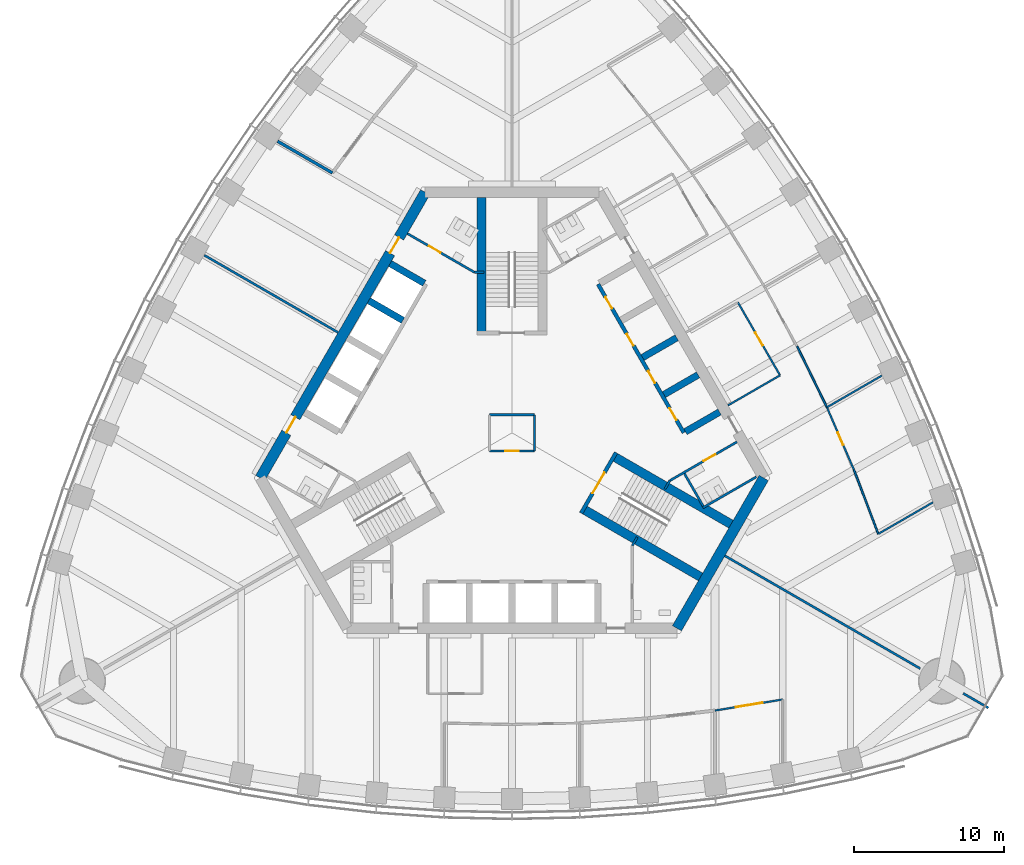
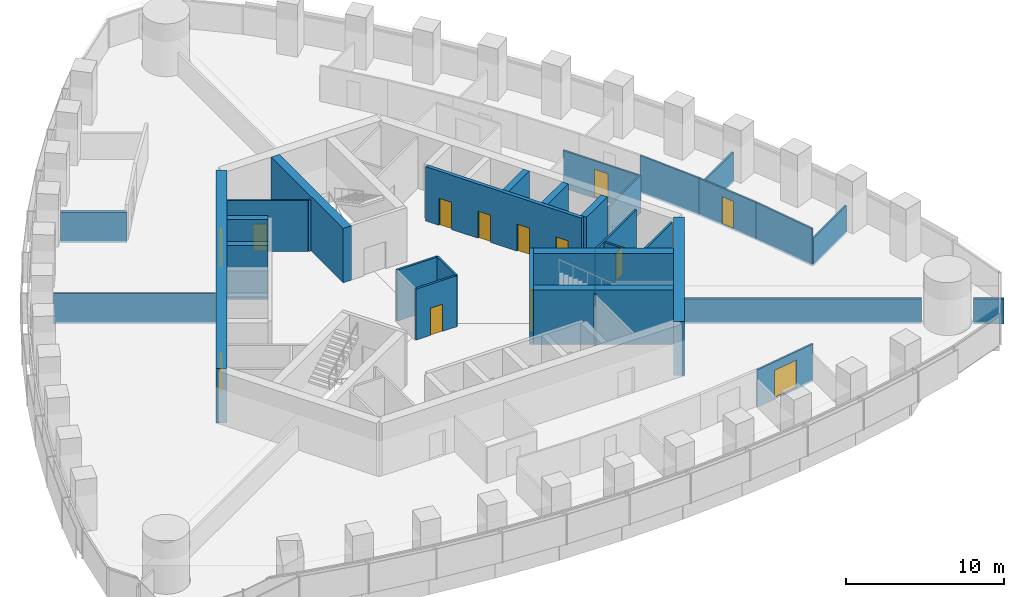
# One storey, part 12 of 19: 34 walls, 13 doors, 13 openings.
"""IFC4 building model written with IfcOpenShell, lengths in metres."""

from ifc_helpers import new_model, si_unit, direction, frame, frame_2d, origin, place, context, subcontext, project, spatial, rectangle, extrude, material, layer, layer_set, type_object, element, fill, save


model = new_model("IFC4")

# Units and contexts
model_context = context("Model", 3, precision=1e-05, world=origin(), true_north=direction((0.0, 1.0)))
body_context = subcontext(model_context, "Body", "Model", "MODEL_VIEW")
ifc_project = project(units=[si_unit("LENGTHUNIT", "METRE"), si_unit("AREAUNIT", "SQUARE_METRE"), si_unit("VOLUMEUNIT", "CUBIC_METRE"), si_unit("PLANEANGLEUNIT", "RADIAN"), si_unit("MASSUNIT", "GRAM", prefix="KILO")], contexts=[model_context])

# Site, building, storey
site_placement = place(None, origin())
site = spatial("IfcSite", under=ifc_project, at=site_placement, CompositionType="ELEMENT")
building_placement = place(site_placement, origin())
building = spatial("IfcBuilding", under=site, at=building_placement, Name="Trefoil Bronze Tower", CompositionType="ELEMENT")
storey_placement = place(building_placement, frame((0.0, 0.0, 261.10009765625)))
storey = spatial("IfcBuildingStorey", under=building, at=storey_placement, Name="L60", CompositionType="ELEMENT", Elevation=261.10009765625)

# Walls
ifc_material_1 = material(Name="Gypsum board on steel studs", Category="steel")
ifc_layer_1 = layer(ifc_material_1, 0.199951171875)
ifc_layer_set_1 = layer_set([ifc_layer_1], Name="Acoustic partition 200")
wall_type_1 = type_object("IfcWallType", Name="Acoustic partition 200", PredefinedType="PARTITIONING", material=ifc_layer_set_1)
wall_1_placement = place(storey_placement, frame((-11.942626953125, 17.287353515625, 0.0), z_axis=(0.0, 0.0, 1.0), x_axis=(-0.866016734951, 0.50001501456, 0.0)))
element("IfcWall", 1, at=wall_1_placement, inside=storey, type_object=wall_type_1, Name="Partition F3 L60", PredefinedType="PARTITIONING", context=body_context, shape_type="SweptSolid", body=[
    extrude(rectangle(XDim=4.213623046875, YDim=0.199951171875, at=frame_2d((2.10693359375, 0.0))), origin(), (0.0, 0.0, 1.0), 2.349853515625),
])
ifc_material_2 = material(Name="Concrete B80", Category="concrete")
ifc_layer_2 = layer(ifc_material_2, 0.699951171875)
ifc_layer_set_2 = layer_set([ifc_layer_2], Name="Core wall 700")
wall_type_2 = type_object("IfcWallType", Name="Core wall 700", PredefinedType="SHEAR", material=ifc_layer_set_2)
wall_2_placement = place(storey_placement, frame((10.9697265625, -13.0, 0.0), z_axis=(0.0, 0.0, 1.0), x_axis=(0.499995765644, 0.866027848477, 0.0)))
element("IfcWall", 2, at=wall_2_placement, inside=storey, type_object=wall_type_2, Name="Core short wall 1 L60", PredefinedType="SHEAR", context=body_context, shape_type="SweptSolid", body=[
    extrude(rectangle(XDim=11.546875, YDim=0.699951171875, at=frame_2d((5.7734375, 0.0))), origin(), (0.0, 0.0, 1.0), 4.199951171875),
])

# Wall, openings, doors
wall_3_placement = place(storey_placement, frame((-5.7734375, 16.0, 0.0), z_axis=(0.0, 0.0, 1.0), x_axis=(-0.500002442456, -0.866023993627, 0.0)))
wall_3 = element("IfcWall", 3, at=wall_3_placement, inside=storey, type_object=wall_type_2, Name="Core long wall 3 L60", PredefinedType="SHEAR", context=body_context, shape_type="SweptSolid", body=[
    extrude(rectangle(XDim=21.939453125, YDim=0.699951171875, at=frame_2d((10.9697265625, 0.0))), origin(), (0.0, 0.0, 1.0), 4.199951171875),
])
opening_1_placement = place(wall_3_placement, frame((17.269775390625, 0.0, 0.0)))
opening_1 = element("IfcOpeningElement", 4, at=opening_1_placement, cuts=wall_3, Name="Opening D2", PredefinedType="OPENING", context=body_context, shape_type="SweptSolid", body=[
    extrude(rectangle(XDim=1.199951171875, YDim=2.10009765625, at=frame_2d((0.60009765625, 1.050048828125))), frame((0.0, 0.35986328125, 0.0), z_axis=(0.0, -1.0, 0.0), x_axis=(1.0, 0.0, 0.0)), (0.0, 0.0, 1.0), 0.719970703125),
])
opening_2_placement = place(wall_3_placement, frame((3.4697265625, 0.0, 0.0)))
opening_2 = element("IfcOpeningElement", 5, at=opening_2_placement, cuts=wall_3, Name="Opening D2", PredefinedType="OPENING", context=body_context, shape_type="SweptSolid", body=[
    extrude(rectangle(XDim=1.199951171875, YDim=2.10009765625, at=frame_2d((0.60009765625, 1.050048828125))), frame((0.0, 0.35986328125, 0.0), z_axis=(0.0, -1.0, 0.0), x_axis=(1.0, 0.0, 0.0)), (0.0, 0.0, 1.0), 0.719970703125),
])
ifc_material_3 = material(Name="Steel door", Category="steel")
door_type_1 = type_object("IfcDoorType", Name="Lobby door 1200", OperationType="SINGLE_SWING_RIGHT", PredefinedType="DOOR", material=ifc_material_3)
door_1_placement = place(opening_1_placement, origin())
door_1 = element("IfcDoor", 6, at=door_1_placement, inside=storey, type_object=door_type_1, Name="Lobby door F3+ L60", OperationType="SINGLE_SWING_RIGHT", OverallHeight=2.10009765625, OverallWidth=1.199951171875, PredefinedType="DOOR", context=body_context, shape_type="SweptSolid", body=[
    extrude(rectangle(XDim=1.199951171875, YDim=2.10009765625, at=frame_2d((0.60009765625, 1.050048828125))), frame((0.0, 0.02490234375, 0.0), z_axis=(0.0, -1.0, 0.0), x_axis=(1.0, 0.0, 0.0)), (0.0, 0.0, 1.0), 0.050048828125),
])
fill(opening_1, door_1)
door_2_placement = place(opening_2_placement, origin())
door_2 = element("IfcDoor", 7, at=door_2_placement, inside=storey, type_object=door_type_1, Name="Lobby door F3- L60", OperationType="SINGLE_SWING_LEFT", OverallHeight=2.10009765625, OverallWidth=1.199951171875, PredefinedType="DOOR", context=body_context, shape_type="SweptSolid", body=[
    extrude(rectangle(XDim=1.199951171875, YDim=2.10009765625, at=frame_2d((0.60009765625, 1.050048828125))), frame((0.0, 0.02490234375, 0.0), z_axis=(0.0, -1.0, 0.0), x_axis=(1.0, 0.0, 0.0)), (0.0, 0.0, 1.0), 0.050048828125),
])
fill(opening_2, door_2)

# Wall, opening, door
ifc_material_4 = material(Name="Glazed partition", Category="glass")
ifc_layer_3 = layer(ifc_material_4, 0.1201171875)
ifc_layer_set_3 = layer_set([ifc_layer_3], Name="Glazed partition 120")
wall_type_3 = type_object("IfcWallType", Name="Glazed partition 120", PredefinedType="PARTITIONING", material=ifc_layer_set_3)
wall_4_placement = place(storey_placement, frame((13.5, -18.466064453125, 0.0), z_axis=(0.0, 0.0, 1.0), x_axis=(0.986986525477, 0.160802980469, 0.0)))
wall_4 = element("IfcWall", 8, at=wall_4_placement, inside=storey, type_object=wall_type_3, Name="Partition F1 L60", PredefinedType="PARTITIONING", context=body_context, shape_type="SweptSolid", body=[
    extrude(rectangle(XDim=4.559326171875, YDim=0.1201171875, at=frame_2d((2.27978515625, 0.0))), origin(), (0.0, 0.0, 1.0), 2.89990234375),
])
opening_3_placement = place(wall_4_placement, frame((1.39990234375, 0.0, 0.14990234375)))
opening_3 = element("IfcOpeningElement", 9, at=opening_3_placement, cuts=wall_4, Name="Opening D10", PredefinedType="OPENING", context=body_context, shape_type="SweptSolid", body=[
    extrude(rectangle(XDim=1.800048828125, YDim=2.10009765625, at=frame_2d((0.89990234375, 1.050048828125))), frame((0.0, 0.070068359375, 0.0), z_axis=(0.0, -1.0, 0.0), x_axis=(1.0, 0.0, 0.0)), (0.0, 0.0, 1.0), 0.14013671875),
])
ifc_material_5 = material(Name="Timber door", Category="wood")
door_type_2 = type_object("IfcDoorType", Name="Double door 1800", OperationType="DOUBLE_DOOR_SINGLE_SWING", PredefinedType="DOOR", material=ifc_material_5)
door_3_placement = place(opening_3_placement, frame((1.800048828125, 0.0, 0.0), z_axis=(0.0, 0.0, 1.0), x_axis=(-1.0, 0.0, 0.0)))
door_3 = element("IfcDoor", 10, at=door_3_placement, inside=storey, type_object=door_type_2, Name="Servery door F1 L60", OperationType="DOUBLE_DOOR_SINGLE_SWING", OverallHeight=2.10009765625, OverallWidth=1.800048828125, PredefinedType="DOOR", context=body_context, shape_type="SweptSolid", body=[
    extrude(rectangle(XDim=1.800048828125, YDim=2.10009765625, at=frame_2d((0.89990234375, 1.050048828125))), frame((0.0, 0.02490234375, 0.0), z_axis=(0.0, -1.0, 0.0), x_axis=(1.0, 0.0, 0.0)), (0.0, 0.0, 1.0), 0.050048828125),
])
fill(opening_3, door_3)

wall_5_placement = place(storey_placement, frame((17.825439453125, 3.8251953125, 0.0), z_axis=(0.0, 0.0, 1.0), x_axis=(-0.499965239061, 0.866045472092, 0.0)))
wall_5 = element("IfcWall", 11, at=wall_5_placement, inside=storey, type_object=wall_type_3, Name="Partition F2 L60", PredefinedType="PARTITIONING", context=body_context, shape_type="SweptSolid", body=[
    extrude(rectangle(XDim=5.60009765625, YDim=0.1201171875, at=frame_2d((2.800048828125, 0.0))), origin(), (0.0, 0.0, 1.0), 2.89990234375),
])
opening_4_placement = place(wall_5_placement, frame((2.300048828125, 0.0, 0.14990234375)))
opening_4 = element("IfcOpeningElement", 12, at=opening_4_placement, cuts=wall_5, Name="Opening D9", PredefinedType="OPENING", context=body_context, shape_type="SweptSolid", body=[
    extrude(rectangle(XDim=1.0, YDim=2.10009765625, at=frame_2d((0.5, 1.050048828125))), frame((0.0, 0.070068359375, 0.0), z_axis=(0.0, -1.0, 0.0), x_axis=(1.0, 0.0, 0.0)), (0.0, 0.0, 1.0), 0.14013671875),
])
ifc_material_6 = material(Name="Glazed timber door", Category="wood")
door_type_3 = type_object("IfcDoorType", Name="Meeting room door 1000", OperationType="SINGLE_SWING_LEFT", PredefinedType="DOOR", material=ifc_material_6)
door_4_placement = place(opening_4_placement, origin())
door_4 = element("IfcDoor", 13, at=door_4_placement, inside=storey, type_object=door_type_3, Name="Meeting room door F2 L60", OperationType="SINGLE_SWING_RIGHT", OverallHeight=2.10009765625, OverallWidth=1.0, PredefinedType="DOOR", context=body_context, shape_type="SweptSolid", body=[
    extrude(rectangle(XDim=1.0, YDim=2.10009765625, at=frame_2d((0.5, 1.050048828125))), frame((0.0, 0.02490234375, 0.0), z_axis=(0.0, -1.0, 0.0), x_axis=(1.0, 0.0, 0.0)), (0.0, 0.0, 1.0), 0.050048828125),
])
fill(opening_4, door_4)

# Wall
wall_6_placement = place(storey_placement, frame((14.361328125, 1.8251953125, 0.0), z_axis=(0.0, 0.0, 1.0), x_axis=(0.866026010844, 0.49999894854, 0.0)))
element("IfcWall", 14, at=wall_6_placement, inside=storey, type_object=wall_type_3, Name="Partition F2 L60", PredefinedType="PARTITIONING", context=body_context, shape_type="SweptSolid", body=[
    extrude(rectangle(XDim=4.0, YDim=0.1201171875, at=frame_2d((2.0, 0.0))), origin(), (0.0, 0.0, 1.0), 2.89990234375),
])

# Wall, opening, door
wall_7_placement = place(storey_placement, frame((22.7421875, -2.458251953125, 0.0), z_axis=(0.0, 0.0, 1.0), x_axis=(-0.397253491631, 0.917708920839, 0.0)))
wall_7 = element("IfcWall", 15, at=wall_7_placement, inside=storey, type_object=wall_type_3, Name="Partition F2 L60", PredefinedType="PARTITIONING", context=body_context, shape_type="SweptSolid", body=[
    extrude(rectangle(XDim=4.530029296875, YDim=0.1201171875, at=frame_2d((2.26513671875, 0.0))), origin(), (0.0, 0.0, 1.0), 2.89990234375),
])
opening_5_placement = place(wall_7_placement, frame((1.800048828125, 0.0, 0.14990234375)))
opening_5 = element("IfcOpeningElement", 16, at=opening_5_placement, cuts=wall_7, Name="Opening D8", PredefinedType="OPENING", context=body_context, shape_type="SweptSolid", body=[
    extrude(rectangle(XDim=0.89990234375, YDim=2.10009765625, at=frame_2d((0.449951171875, 1.050048828125))), frame((0.0, 0.070068359375, 0.0), z_axis=(0.0, -1.0, 0.0), x_axis=(1.0, 0.0, 0.0)), (0.0, 0.0, 1.0), 0.14013671875),
])
ifc_material_7 = material(Name="Timber door", Category="wood")
door_type_4 = type_object("IfcDoorType", Name="Office door 900", OperationType="SINGLE_SWING_LEFT", PredefinedType="DOOR", material=ifc_material_7)
door_5_placement = place(opening_5_placement, frame((0.89990234375, 0.0, 0.0), z_axis=(0.0, 0.0, 1.0), x_axis=(-1.0, 0.0, 0.0)))
door_5 = element("IfcDoor", 17, at=door_5_placement, inside=storey, type_object=door_type_4, Name="Executive office door F2 L60", OperationType="SINGLE_SWING_RIGHT", OverallHeight=2.10009765625, OverallWidth=0.89990234375, PredefinedType="DOOR", context=body_context, shape_type="SweptSolid", body=[
    extrude(rectangle(XDim=0.89990234375, YDim=2.10009765625, at=frame_2d((0.449951171875, 1.050048828125))), frame((0.0, 0.02490234375, 0.0), z_axis=(0.0, -1.0, 0.0), x_axis=(1.0, 0.0, 0.0)), (0.0, 0.0, 1.0), 0.050048828125),
])
fill(opening_5, door_5)

# Walls
wall_8_placement = place(storey_placement, frame((24.357177734375, -6.721923828125, 0.0), z_axis=(0.0, 0.0, 1.0), x_axis=(-0.354219967303, 0.935162132875, 0.0)))
element("IfcWall", 18, at=wall_8_placement, inside=storey, type_object=wall_type_3, Name="Partition F2 L60", PredefinedType="PARTITIONING", context=body_context, shape_type="SweptSolid", body=[
    extrude(rectangle(XDim=4.559326171875, YDim=0.1201171875, at=frame_2d((2.27978515625, 0.0))), origin(), (0.0, 0.0, 1.0), 2.89990234375),
])
wall_9_placement = place(storey_placement, frame((20.942626953125, 1.698974609375, 0.0), z_axis=(0.0, 0.0, 1.0), x_axis=(-0.43911984878, 0.898428493764, 0.0)))
element("IfcWall", 19, at=wall_9_placement, inside=storey, type_object=wall_type_3, Name="Partition F2 L60", PredefinedType="PARTITIONING", context=body_context, shape_type="SweptSolid", body=[
    extrude(rectangle(XDim=4.5107421875, YDim=0.1201171875, at=frame_2d((2.25537109375, 0.0))), origin(), (0.0, 0.0, 1.0), 2.89990234375),
])
wall_10_placement = place(storey_placement, frame((24.357177734375, -6.721923828125, 0.0), z_axis=(0.0, 0.0, 1.0), x_axis=(0.866042106815, 0.499971068387, 0.0)))
element("IfcWall", 20, at=wall_10_placement, inside=storey, type_object=wall_type_3, Name="Partition F2 L60", PredefinedType="PARTITIONING", context=body_context, shape_type="SweptSolid", body=[
    extrude(rectangle(XDim=4.193603515625, YDim=0.1201171875, at=frame_2d((2.0966796875, 0.0))), origin(), (0.0, 0.0, 1.0), 2.14990234375),
])
wall_11_placement = place(storey_placement, frame((20.942626953125, 1.698974609375, 0.0), z_axis=(0.0, 0.0, 1.0), x_axis=(0.866041823485, 0.499971559166, 0.0)))
element("IfcWall", 21, at=wall_11_placement, inside=storey, type_object=wall_type_3, Name="Partition F2 L60", PredefinedType="PARTITIONING", context=body_context, shape_type="SweptSolid", body=[
    extrude(rectangle(XDim=4.213623046875, YDim=0.1201171875, at=frame_2d((2.10693359375, 0.0))), origin(), (0.0, 0.0, 1.0), 2.349853515625),
])
ifc_material_8 = material(Name="Concrete B80", Category="concrete")
ifc_layer_4 = layer(ifc_material_8, 0.449951171875)
ifc_layer_set_4 = layer_set([ifc_layer_4], Name="Outrigger shaft wall 450")
wall_type_4 = type_object("IfcWallType", Name="Outrigger shaft wall 450", PredefinedType="SHEAR", material=ifc_layer_set_4)
for number, where, z_axis, x_axis, name in (
    (22, (11.531982421875, 0.076171875, 0.0), (0.0, 0.0, 1.0), (0.866013657776, 0.500020344131, 0.0), "Lift shaft side wall B0 L60"),
    (23, (10.10693359375, 2.54443359375, 0.0), (0.0, 0.0, 1.0), (0.866013657776, 0.500020344131, 0.0), "Lift shaft side wall B1 L60"),
    (24, (8.681884765625, 5.012451171875, 0.0), (0.0, 0.0, 1.0), (0.866036909293, 0.499980071345, 0.0), "Lift shaft side wall B2 L60"),
    (25, (-5.831787109375, 9.94873046875, 0.0), (0.0, 0.0, 1.0), (-0.866036909293, 0.499980071345, 0.0), "Lift shaft side wall C0 L60"),
    (26, (-7.2568359375, 7.480712890625, 0.0), (0.0, 0.0, 1.0), (-0.866036909293, 0.499980071345, 0.0), "Lift shaft side wall C1 L60"),
):
    element("IfcWall", number, at=place(storey_placement, frame(where, z_axis=z_axis, x_axis=x_axis)), inside=storey, type_object=wall_type_4, Name=name, PredefinedType="SHEAR", context=body_context, shape_type="SweptSolid", body=[
        extrude(rectangle(XDim=2.625, YDim=0.449951171875, at=frame_2d((1.3125, 0.0))), origin(), (0.0, 0.0, 1.0), 4.199951171875),
    ])

# Wall, opening, door
ifc_material_9 = material(Name="Gypsum board on steel studs", Category="steel")
ifc_layer_5 = layer(ifc_material_9, 0.14990234375)
ifc_layer_set_5 = layer_set([ifc_layer_5], Name="Partition 150")
wall_type_5 = type_object("IfcWallType", Name="Partition 150", PredefinedType="PARTITIONING", material=ifc_layer_set_5)
wall_12_placement = place(storey_placement, frame((10.4951171875, -3.17822265625, 0.0), z_axis=(0.0, 0.0, 1.0), x_axis=(0.866037967349, 0.499978238636, 0.0)))
wall_12 = element("IfcWall", 27, at=wall_12_placement, inside=storey, type_object=wall_type_5, Name="Passage wall F2- L60", PredefinedType="PARTITIONING", context=body_context, shape_type="SweptSolid", body=[
    extrude(rectangle(XDim=5.150146484375, YDim=0.14990234375, at=frame_2d((2.5751953125, 0.0))), origin(), (0.0, 0.0, 1.0), 3.949951171875),
])
opening_6_placement = place(wall_12_placement, frame((2.60009765625, 0.0, 0.0)))
opening_6 = element("IfcOpeningElement", 28, at=opening_6_placement, cuts=wall_12, Name="Opening D3", PredefinedType="OPENING", context=body_context, shape_type="SweptSolid", body=[
    extrude(rectangle(XDim=0.89990234375, YDim=2.10009765625, at=frame_2d((0.449951171875, 1.050048828125))), frame((0.0, 0.0849609375, 0.0), z_axis=(0.0, -1.0, 0.0), x_axis=(1.0, 0.0, 0.0)), (0.0, 0.0, 1.0), 0.169921875),
])
ifc_material_10 = material(Name="Timber door", Category="wood")
door_type_5 = type_object("IfcDoorType", Name="WC door 900", OperationType="SINGLE_SWING_LEFT", PredefinedType="DOOR", material=ifc_material_10)
door_6_placement = place(opening_6_placement, frame((0.89990234375, 0.0, 0.0), z_axis=(0.0, 0.0, 1.0), x_axis=(-1.0, 0.0, 0.0)))
door_6 = element("IfcDoor", 29, at=door_6_placement, inside=storey, type_object=door_type_5, Name="WC (women) door L60", OperationType="SINGLE_SWING_RIGHT", OverallHeight=2.10009765625, OverallWidth=0.89990234375, PredefinedType="DOOR", context=body_context, shape_type="SweptSolid", body=[
    extrude(rectangle(XDim=0.89990234375, YDim=2.10009765625, at=frame_2d((0.449951171875, 1.050048828125))), frame((0.0, 0.02490234375, 0.0), z_axis=(0.0, -1.0, 0.0), x_axis=(1.0, 0.0, 0.0)), (0.0, 0.0, 1.0), 0.050048828125),
])
fill(opening_6, door_6)

wall_13_placement = place(storey_placement, frame((-2.4951171875, 10.67822265625, 0.0), z_axis=(0.0, 0.0, 1.0), x_axis=(-0.866037967349, 0.499978238636, 0.0)))
wall_13 = element("IfcWall", 30, at=wall_13_placement, inside=storey, type_object=wall_type_5, Name="Passage wall F3- L60", PredefinedType="PARTITIONING", context=body_context, shape_type="SweptSolid", body=[
    extrude(rectangle(XDim=5.150146484375, YDim=0.14990234375, at=frame_2d((2.5751953125, 0.0))), origin(), (0.0, 0.0, 1.0), 3.949951171875),
])
opening_7_placement = place(wall_13_placement, frame((2.60009765625, 0.0, 0.0)))
opening_7 = element("IfcOpeningElement", 31, at=opening_7_placement, cuts=wall_13, Name="Opening D3", PredefinedType="OPENING", context=body_context, shape_type="SweptSolid", body=[
    extrude(rectangle(XDim=0.89990234375, YDim=2.10009765625, at=frame_2d((0.449951171875, 1.050048828125))), frame((0.0, 0.0849609375, 0.0), z_axis=(0.0, -1.0, 0.0), x_axis=(1.0, 0.0, 0.0)), (0.0, 0.0, 1.0), 0.169921875),
])
door_7_placement = place(opening_7_placement, frame((0.89990234375, 0.0, 0.0), z_axis=(0.0, 0.0, 1.0), x_axis=(-1.0, 0.0, 0.0)))
door_7 = element("IfcDoor", 32, at=door_7_placement, inside=storey, type_object=door_type_5, Name="WC (women) door L60", OperationType="SINGLE_SWING_LEFT", OverallHeight=2.10009765625, OverallWidth=0.89990234375, PredefinedType="DOOR", context=body_context, shape_type="SweptSolid", body=[
    extrude(rectangle(XDim=0.89990234375, YDim=2.10009765625, at=frame_2d((0.449951171875, 1.050048828125))), frame((0.0, 0.02490234375, 0.0), z_axis=(0.0, -1.0, 0.0), x_axis=(1.0, 0.0, 0.0)), (0.0, 0.0, 1.0), 0.050048828125),
])
fill(opening_7, door_7)

# Walls
for number, where, z_axis, x_axis, name in (
    (33, (8.0, -7.5, 0.0), (0.0, 0.0, 1.0), (0.499842556608, 0.866116284689, 0.0), "WC wall ST1-1 L60"),
    (34, (10.4951171875, -3.17822265625, 0.0), (0.0, 0.0, 1.0), (-0.499842556608, -0.866116284689, 0.0), "WC wall ST1+1 L60"),
):
    element("IfcWall", number, at=place(storey_placement, frame(where, z_axis=z_axis, x_axis=x_axis)), inside=storey, type_object=wall_type_5, Name=name, PredefinedType="PARTITIONING", context=body_context, shape_type="SweptSolid", body=[
        extrude(rectangle(XDim=0.645263671875, YDim=0.14990234375, at=frame_2d((0.32275390625, 0.0))), origin(), (0.0, 0.0, 1.0), 3.949951171875),
    ])
wall_14_placement = place(storey_placement, frame((-2.4951171875, 10.67822265625, 0.0), z_axis=(0.0, 0.0, 1.0), x_axis=(1.0, 0.0, 0.0)))
element("IfcWall", 35, at=wall_14_placement, inside=storey, type_object=wall_type_5, Name="WC wall ST2+1 L60", PredefinedType="PARTITIONING", context=body_context, shape_type="SweptSolid", body=[
    extrude(rectangle(XDim=0.64501953125, YDim=0.14990234375, at=frame_2d((0.322509765625, 0.0))), origin(), (0.0, 0.0, 1.0), 3.949951171875),
])
wall_15_placement = place(storey_placement, frame((12.691162109375, -4.98193359375, 0.0), z_axis=(0.0, 0.0, 1.0), x_axis=(0.8660249478, 0.500000789788, 0.0)))
element("IfcWall", 36, at=wall_15_placement, inside=storey, type_object=wall_type_5, Name="WC partition WC (women) L60", PredefinedType="PARTITIONING", context=body_context, shape_type="SweptSolid", body=[
    extrude(rectangle(XDim=4.10009765625, YDim=0.14990234375, at=frame_2d((2.050048828125, 0.0))), origin(), (0.0, 0.0, 1.0), 3.949951171875),
])
wall_16_placement = place(storey_placement, frame((11.463623046875, -2.70556640625, 0.0), z_axis=(0.0, 0.0, 1.0), x_axis=(0.50001992892, -0.866013897511, 0.0)))
element("IfcWall", 37, at=wall_16_placement, inside=storey, type_object=wall_type_5, Name="WC partition WC (women) L60", PredefinedType="PARTITIONING", context=body_context, shape_type="SweptSolid", body=[
    extrude(rectangle(XDim=2.51025390625, YDim=0.14990234375, at=frame_2d((1.255126953125, 0.0))), origin(), (0.0, 0.0, 1.0), 3.949951171875),
])
ifc_material_11 = material(Name="Gypsum board on steel studs", Category="steel")
ifc_layer_6 = layer(ifc_material_11, 0.14990234375)
ifc_layer_set_6 = layer_set([ifc_layer_6], Name="Party wall 150")
wall_type_6 = type_object("IfcWallType", Name="Party wall 150", PredefinedType="PARTITIONING", material=ifc_layer_set_6)
wall_17_placement = place(storey_placement, frame((14.159423828125, -8.175048828125, 0.0), z_axis=(0.0, 0.0, 1.0), x_axis=(0.866027028085, -0.499997186618, 0.0)))
element("IfcWall", 38, at=wall_17_placement, inside=storey, type_object=wall_type_6, Name="Party wall K1 L60", PredefinedType="PARTITIONING", context=body_context, shape_type="SweptSolid", body=[
    extrude(rectangle(XDim=15.0, YDim=0.14990234375, at=frame_2d((7.5, 0.0))), origin(), (0.0, 0.0, 1.0), 1.949951171875),
])
wall_18_placement = place(storey_placement, frame((30.0078125, -17.324951171875, 0.0), z_axis=(0.0, 0.0, 1.0), x_axis=(0.866013246922, -0.500021055713, 0.0)))
element("IfcWall", 39, at=wall_18_placement, inside=storey, type_object=wall_type_6, Name="Party wall K1 L60", PredefinedType="PARTITIONING", context=body_context, shape_type="SweptSolid", body=[
    extrude(rectangle(XDim=1.9345703125, YDim=0.14990234375, at=frame_2d((0.96728515625, 0.0))), origin(), (0.0, 0.0, 1.0), 1.949951171875),
])
wall_19_placement = place(storey_placement, frame((-11.570068359375, 6.679931640625, 0.0), z_axis=(0.0, 0.0, 1.0), x_axis=(-0.866023526028, 0.500003252355, 0.0)))
element("IfcWall", 40, at=wall_19_placement, inside=storey, type_object=wall_type_6, Name="Demising wall F3 L60", PredefinedType="PARTITIONING", context=body_context, shape_type="SweptSolid", body=[
    extrude(rectangle(XDim=10.2607421875, YDim=0.14990234375, at=frame_2d((5.13037109375, 0.0))), origin(), (0.0, 0.0, 1.0), 2.349853515625),
])

# Wall, opening, door
ifc_material_12 = material(Name="Gypsum board on steel studs", Category="steel")
ifc_layer_7 = layer(ifc_material_12, 0.14990234375)
ifc_layer_set_7 = layer_set([ifc_layer_7], Name="Riser wall 150")
wall_type_7 = type_object("IfcWallType", Name="Riser wall 150", PredefinedType="PARTITIONING", material=ifc_layer_set_7)
wall_20_placement = place(storey_placement, frame((-1.5, -1.199951171875, 0.0), z_axis=(0.0, 0.0, 1.0), x_axis=(1.0, 0.0, 0.0)))
wall_20 = element("IfcWall", 41, at=wall_20_placement, inside=storey, type_object=wall_type_7, Name="Riser wall L60", PredefinedType="PARTITIONING", context=body_context, shape_type="SweptSolid", body=[
    extrude(rectangle(XDim=3.0, YDim=0.14990234375, at=frame_2d((1.5, 0.0))), origin(), (0.0, 0.0, 1.0), 3.949951171875),
])
opening_8_placement = place(wall_20_placement, frame((1.050048828125, 0.0, 0.0)))
opening_8 = element("IfcOpeningElement", 42, at=opening_8_placement, cuts=wall_20, Name="Opening D4", PredefinedType="OPENING", context=body_context, shape_type="SweptSolid", body=[
    extrude(rectangle(XDim=0.89990234375, YDim=2.10009765625, at=frame_2d((0.449951171875, 1.050048828125))), frame((0.0, 0.0849609375, 0.0), z_axis=(0.0, -1.0, 0.0), x_axis=(1.0, 0.0, 0.0)), (0.0, 0.0, 1.0), 0.169921875),
])
ifc_material_13 = material(Name="Steel door", Category="steel")
door_type_6 = type_object("IfcDoorType", Name="Riser door 900", OperationType="SINGLE_SWING_LEFT", PredefinedType="DOOR", material=ifc_material_13)
door_8_placement = place(opening_8_placement, frame((0.89990234375, 0.0, 0.0), z_axis=(0.0, 0.0, 1.0), x_axis=(-1.0, 0.0, 0.0)))
door_8 = element("IfcDoor", 43, at=door_8_placement, inside=storey, type_object=door_type_6, Name="Riser door L60", OperationType="SINGLE_SWING_LEFT", OverallHeight=2.10009765625, OverallWidth=0.89990234375, PredefinedType="DOOR", context=body_context, shape_type="SweptSolid", body=[
    extrude(rectangle(XDim=0.89990234375, YDim=2.10009765625, at=frame_2d((0.449951171875, 1.050048828125))), frame((0.0, 0.02490234375, 0.0), z_axis=(0.0, -1.0, 0.0), x_axis=(1.0, 0.0, 0.0)), (0.0, 0.0, 1.0), 0.050048828125),
])
fill(opening_8, door_8)

# Walls
wall_21_placement = place(storey_placement, frame((1.5, -1.199951171875, 0.0), z_axis=(0.0, 0.0, 1.0), x_axis=(0.0, 1.0, 0.0)))
element("IfcWall", 44, at=wall_21_placement, inside=storey, type_object=wall_type_7, Name="Riser wall L60", PredefinedType="PARTITIONING", context=body_context, shape_type="SweptSolid", body=[
    extrude(rectangle(XDim=2.39990234375, YDim=0.14990234375, at=frame_2d((1.199951171875, 0.0))), origin(), (0.0, 0.0, 1.0), 3.949951171875),
])
wall_22_placement = place(storey_placement, frame((1.5, 1.199951171875, 0.0), z_axis=(0.0, 0.0, 1.0), x_axis=(-1.0, 0.0, 0.0)))
element("IfcWall", 45, at=wall_22_placement, inside=storey, type_object=wall_type_7, Name="Riser wall L60", PredefinedType="PARTITIONING", context=body_context, shape_type="SweptSolid", body=[
    extrude(rectangle(XDim=3.0, YDim=0.14990234375, at=frame_2d((1.5, 0.0))), origin(), (0.0, 0.0, 1.0), 3.949951171875),
])

# Wall, openings, doors
ifc_material_14 = material(Name="Concrete B80", Category="concrete")
ifc_layer_8 = layer(ifc_material_14, 0.25)
ifc_layer_set_8 = layer_set([ifc_layer_8], Name="Shaft wall 250")
wall_type_8 = type_object("IfcWallType", Name="Shaft wall 250", PredefinedType="SHEAR", material=ifc_layer_set_8)
wall_23_placement = place(storey_placement, frame((11.423583984375, 0.013671875, 0.0), z_axis=(0.0, 0.0, 1.0), x_axis=(-0.500001763848, 0.866024385424, 0.0)))
wall_23 = element("IfcWall", 46, at=wall_23_placement, inside=storey, type_object=wall_type_8, Name="Lift shaft front wall B L60", PredefinedType="SHEAR", context=body_context, shape_type="SweptSolid", body=[
    extrude(rectangle(XDim=11.39990234375, YDim=0.25, at=frame_2d((5.699951171875, 0.0))), origin(), (0.0, 0.0, 1.0), 4.199951171875),
])
opening_9_placement = place(wall_23_placement, frame((0.97509765625, 0.0, 0.0)))
opening_9 = element("IfcOpeningElement", 47, at=opening_9_placement, cuts=wall_23, Name="Opening D12", PredefinedType="OPENING", context=body_context, shape_type="SweptSolid", body=[
    extrude(rectangle(XDim=0.89990234375, YDim=2.10009765625, at=frame_2d((0.449951171875, 1.050048828125))), frame((0.0, 0.135009765625, 0.0), z_axis=(0.0, -1.0, 0.0), x_axis=(1.0, 0.0, 0.0)), (0.0, 0.0, 1.0), 0.27001953125),
])
opening_10_placement = place(wall_23_placement, frame((3.824951171875, 0.0, 0.0)))
opening_10 = element("IfcOpeningElement", 48, at=opening_10_placement, cuts=wall_23, Name="Opening D12", PredefinedType="OPENING", context=body_context, shape_type="SweptSolid", body=[
    extrude(rectangle(XDim=0.89990234375, YDim=2.10009765625, at=frame_2d((0.449951171875, 1.050048828125))), frame((0.0, 0.135009765625, 0.0), z_axis=(0.0, -1.0, 0.0), x_axis=(1.0, 0.0, 0.0)), (0.0, 0.0, 1.0), 0.27001953125),
])
opening_11_placement = place(wall_23_placement, frame((6.675048828125, 0.0, 0.0)))
opening_11 = element("IfcOpeningElement", 49, at=opening_11_placement, cuts=wall_23, Name="Opening D12", PredefinedType="OPENING", context=body_context, shape_type="SweptSolid", body=[
    extrude(rectangle(XDim=0.89990234375, YDim=2.10009765625, at=frame_2d((0.449951171875, 1.050048828125))), frame((0.0, 0.135009765625, 0.0), z_axis=(0.0, -1.0, 0.0), x_axis=(1.0, 0.0, 0.0)), (0.0, 0.0, 1.0), 0.27001953125),
])
opening_12_placement = place(wall_23_placement, frame((9.52490234375, 0.0, 0.0)))
opening_12 = element("IfcOpeningElement", 50, at=opening_12_placement, cuts=wall_23, Name="Opening D12", PredefinedType="OPENING", context=body_context, shape_type="SweptSolid", body=[
    extrude(rectangle(XDim=0.89990234375, YDim=2.10009765625, at=frame_2d((0.449951171875, 1.050048828125))), frame((0.0, 0.135009765625, 0.0), z_axis=(0.0, -1.0, 0.0), x_axis=(1.0, 0.0, 0.0)), (0.0, 0.0, 1.0), 0.27001953125),
])
ifc_material_15 = material(Name="Steel door", Category="steel")
door_type_7 = type_object("IfcDoorType", Name="Shaft room door 900", OperationType="SINGLE_SWING_LEFT", PredefinedType="DOOR", material=ifc_material_15)
door_9_placement = place(opening_9_placement, frame((0.89990234375, 0.0, 0.0), z_axis=(0.0, 0.0, 1.0), x_axis=(-1.0, 0.0, 0.0)))
door_9 = element("IfcDoor", 51, at=door_9_placement, inside=storey, type_object=door_type_7, Name="Shaft room door B1 L60", OperationType="SINGLE_SWING_LEFT", OverallHeight=2.10009765625, OverallWidth=0.89990234375, PredefinedType="DOOR", context=body_context, shape_type="SweptSolid", body=[
    extrude(rectangle(XDim=0.89990234375, YDim=2.10009765625, at=frame_2d((0.449951171875, 1.050048828125))), frame((0.0, 0.02490234375, 0.0), z_axis=(0.0, -1.0, 0.0), x_axis=(1.0, 0.0, 0.0)), (0.0, 0.0, 1.0), 0.050048828125),
])
fill(opening_9, door_9)
door_10_placement = place(opening_10_placement, frame((0.89990234375, 0.0, 0.0), z_axis=(0.0, 0.0, 1.0), x_axis=(-1.0, 0.0, 0.0)))
door_10 = element("IfcDoor", 52, at=door_10_placement, inside=storey, type_object=door_type_7, Name="Shaft room door B2 L60", OperationType="SINGLE_SWING_RIGHT", OverallHeight=2.10009765625, OverallWidth=0.89990234375, PredefinedType="DOOR", context=body_context, shape_type="SweptSolid", body=[
    extrude(rectangle(XDim=0.89990234375, YDim=2.10009765625, at=frame_2d((0.449951171875, 1.050048828125))), frame((0.0, 0.02490234375, 0.0), z_axis=(0.0, -1.0, 0.0), x_axis=(1.0, 0.0, 0.0)), (0.0, 0.0, 1.0), 0.050048828125),
])
fill(opening_10, door_10)
door_11_placement = place(opening_11_placement, frame((0.89990234375, 0.0, 0.0), z_axis=(0.0, 0.0, 1.0), x_axis=(-1.0, 0.0, 0.0)))
door_11 = element("IfcDoor", 53, at=door_11_placement, inside=storey, type_object=door_type_7, Name="Shaft room door B3 L60", OperationType="SINGLE_SWING_RIGHT", OverallHeight=2.10009765625, OverallWidth=0.89990234375, PredefinedType="DOOR", context=body_context, shape_type="SweptSolid", body=[
    extrude(rectangle(XDim=0.89990234375, YDim=2.10009765625, at=frame_2d((0.449951171875, 1.050048828125))), frame((0.0, 0.02490234375, 0.0), z_axis=(0.0, -1.0, 0.0), x_axis=(1.0, 0.0, 0.0)), (0.0, 0.0, 1.0), 0.050048828125),
])
fill(opening_11, door_11)
door_12_placement = place(opening_12_placement, frame((0.89990234375, 0.0, 0.0), z_axis=(0.0, 0.0, 1.0), x_axis=(-1.0, 0.0, 0.0)))
door_12 = element("IfcDoor", 54, at=door_12_placement, inside=storey, type_object=door_type_7, Name="Shaft room door B4 L60", OperationType="SINGLE_SWING_RIGHT", OverallHeight=2.10009765625, OverallWidth=0.89990234375, PredefinedType="DOOR", context=body_context, shape_type="SweptSolid", body=[
    extrude(rectangle(XDim=0.89990234375, YDim=2.10009765625, at=frame_2d((0.449951171875, 1.050048828125))), frame((0.0, 0.02490234375, 0.0), z_axis=(0.0, -1.0, 0.0), x_axis=(1.0, 0.0, 0.0)), (0.0, 0.0, 1.0), 0.050048828125),
])
fill(opening_12, door_12)

# Wall, opening, door
wall_24_placement = place(storey_placement, frame((4.5966796875, -5.338623046875, 0.0), z_axis=(0.0, 0.0, 1.0), x_axis=(0.499984536904, 0.866034331223, 0.0)))
wall_24 = element("IfcWall", 55, at=wall_24_placement, inside=storey, type_object=wall_type_8, Name="Stair end wall ST1 L60", PredefinedType="SHEAR", context=body_context, shape_type="SweptSolid", body=[
    extrude(rectangle(XDim=4.650146484375, YDim=0.25, at=frame_2d((2.3251953125, 0.0))), origin(), (0.0, 0.0, 1.0), 4.199951171875),
])
opening_13_placement = place(wall_24_placement, frame((1.52490234375, 0.0, 0.0)))
opening_13 = element("IfcOpeningElement", 56, at=opening_13_placement, cuts=wall_24, Name="Opening D1", PredefinedType="OPENING", context=body_context, shape_type="SweptSolid", body=[
    extrude(rectangle(XDim=1.60009765625, YDim=2.10009765625, at=frame_2d((0.800048828125, 1.050048828125))), frame((0.0, 0.135009765625, 0.0), z_axis=(0.0, -1.0, 0.0), x_axis=(1.0, 0.0, 0.0)), (0.0, 0.0, 1.0), 0.27001953125),
])
ifc_material_16 = material(Name="Steel door", Category="steel")
door_type_8 = type_object("IfcDoorType", Name="Stair door 1600", OperationType="DOUBLE_DOOR_SINGLE_SWING", PredefinedType="DOOR", material=ifc_material_16)
door_13_placement = place(opening_13_placement, frame((1.60009765625, 0.0, 0.0), z_axis=(0.0, 0.0, 1.0), x_axis=(-1.0, 0.0, 0.0)))
door_13 = element("IfcDoor", 57, at=door_13_placement, inside=storey, type_object=door_type_8, Name="Stair door ST1 L60", OperationType="DOUBLE_DOOR_SINGLE_SWING", OverallHeight=2.10009765625, OverallWidth=1.60009765625, PredefinedType="DOOR", context=body_context, shape_type="SweptSolid", body=[
    extrude(rectangle(XDim=1.60009765625, YDim=2.10009765625, at=frame_2d((0.800048828125, 1.050048828125))), frame((0.0, 0.02490234375, 0.0), z_axis=(0.0, -1.0, 0.0), x_axis=(1.0, 0.0, 0.0)), (0.0, 0.0, 1.0), 0.050048828125),
])
fill(opening_13, door_13)

# Walls
ifc_material_17 = material(Name="Concrete B80", Category="concrete")
ifc_layer_9 = layer(ifc_material_17, 0.60009765625)
ifc_layer_set_9 = layer_set([ifc_layer_9], Name="Stair wall 600")
wall_type_9 = type_object("IfcWallType", Name="Stair wall 600", PredefinedType="SHEAR", material=ifc_layer_set_9)
for number, where, z_axis, x_axis, name in (
    (58, (4.638427734375, -5.01611328125, 0.0), (0.0, 0.0, 1.0), (0.866021621257, -0.500006551472, 0.0), "Stair wall ST1 L60"),
    (59, (6.663330078125, -1.5087890625, 0.0), (0.0, 0.0, 1.0), (0.866028310072, -0.499994966129, 0.0), "Stair wall ST1 L60"),
    (60, (-2.02490234375, 6.52490234375, 0.0), (0.0, 0.0, 1.0), (0.0, 1.0, 0.0), "Stair wall ST2 L60"),
):
    element("IfcWall", number, at=place(storey_placement, frame(where, z_axis=z_axis, x_axis=x_axis)), inside=storey, type_object=wall_type_9, Name=name, PredefinedType="SHEAR", context=body_context, shape_type="SweptSolid", body=[
        extrude(rectangle(XDim=9.125, YDim=0.60009765625, at=frame_2d((4.5625, 0.0))), origin(), (0.0, 0.0, 1.0), 4.199951171875),
    ])

save(model, "model.ifc")
